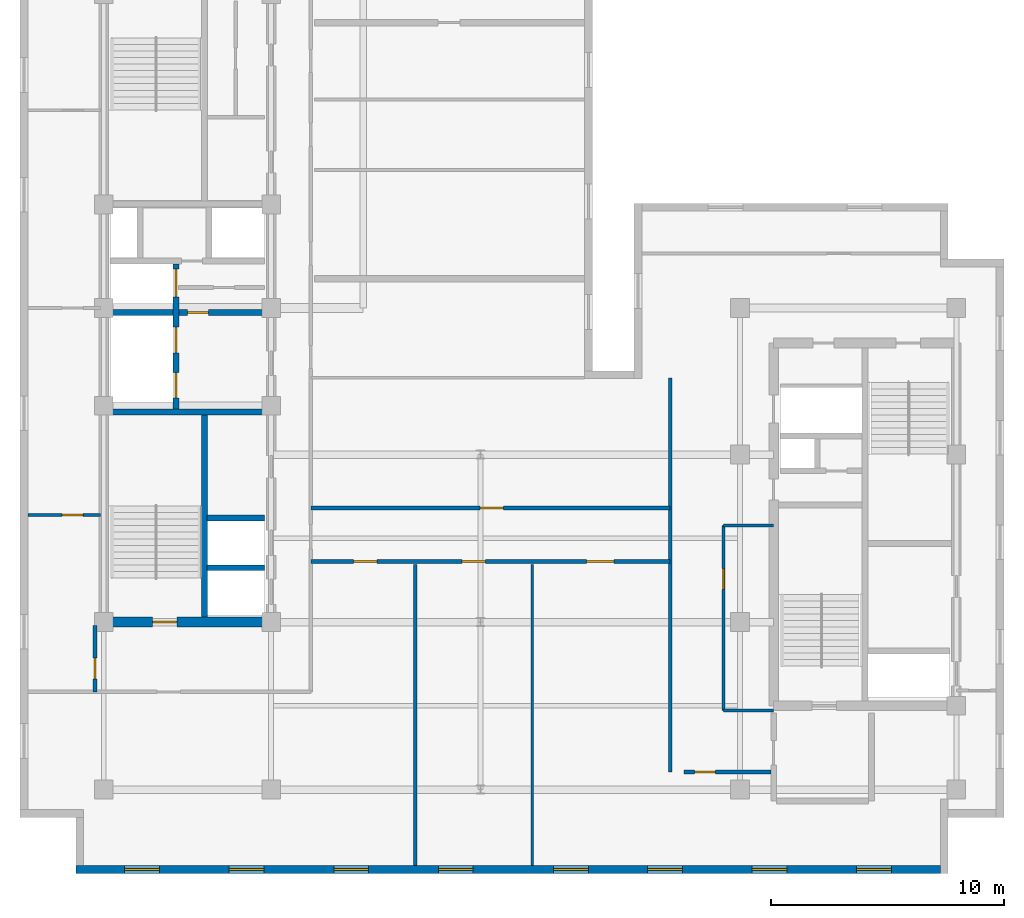
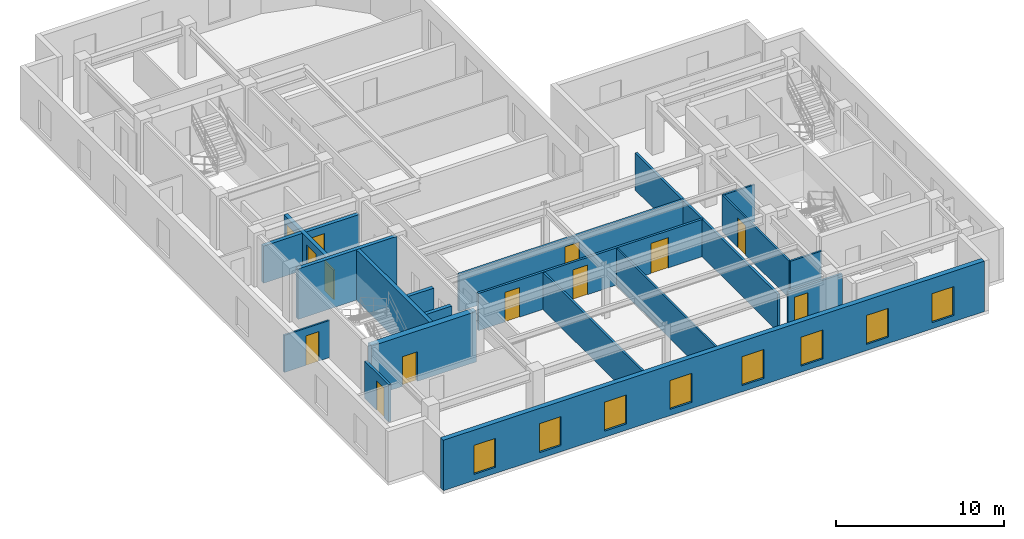
# One storey, part 3 of 10: 19 walls, 13 doors, 8 windows, 21 openings.
"""IFC4 building model written with IfcOpenShell, lengths in metres."""

from ifc_helpers import new_model, entity, si_unit, converted_unit, direction, frame, origin_with_axes, origin_2d_with_axis, place, context, subcontext, project, spatial, polyline, rectangle, outline, extrude, material, layer, layer_set, type_object, element, fill, save


model = new_model("IFC4")

# Units and contexts
model_context = context("Model", 3, precision=1e-05, world=origin_with_axes(), true_north=direction((0.0, 1.0)))
body_context = subcontext(model_context, "Body", "Model", "MODEL_VIEW")
ifc_project = project(units=[si_unit("LENGTHUNIT", "METRE"), si_unit("AREAUNIT", "SQUARE_METRE"), si_unit("VOLUMEUNIT", "CUBIC_METRE"), converted_unit("PLANEANGLEUNIT", "DEGREE", entity("IfcPlaneAngleMeasure", 0.017453292519943295), si_unit("PLANEANGLEUNIT", "RADIAN"), dimensions=[0, 0, 0, 0, 0, 0, 0]), si_unit("MASSUNIT", "GRAM", prefix="KILO"), si_unit("THERMODYNAMICTEMPERATUREUNIT", "KELVIN")], contexts=[model_context])

# Site, building, storey
site_placement = place(None, origin_with_axes())
site = spatial("IfcSite", under=ifc_project, at=site_placement, CompositionType="ELEMENT")
building_placement = place(site_placement, origin_with_axes())
building = spatial("IfcBuilding", under=site, at=building_placement, Name="Varnlund Millrace Tower", CompositionType="ELEMENT")
storey_placement = place(building_placement, frame((0.0, 0.0, 276.3), z_axis=(0.0, 0.0, 1.0), x_axis=(1.0, 0.0, 0.0)))
storey = spatial("IfcBuildingStorey", under=building, at=storey_placement, Name="L68", CompositionType="ELEMENT", Elevation=276.3)

# Wall, opening, door
ifc_material_1 = material(Name="Concrete C60/75", Category="concrete")
ifc_layer_1 = layer(ifc_material_1, 0.42, Name="Concrete C60/75")
ifc_layer_set_1 = layer_set([ifc_layer_1], Name="Concrete C60/75")
wall_type_1 = type_object("IfcWallType", Name="Type-CoreWall-Shear-420-C60", PredefinedType="SHEAR", material=ifc_layer_set_1)
wall_1_placement = place(storey_placement, frame((11.4, 10.8, 0.0), z_axis=(0.0, 0.0, 1.0), x_axis=(1.0, 0.0, 0.0)))
wall_1 = element("IfcWall", 1, at=wall_1_placement, inside=storey, type_object=wall_type_1, Name="Type-CoreWall-Shear-420-C60", PredefinedType="SHEAR", context=body_context, shape_type="SweptSolid", body=[
    extrude(outline(polyline([(0.0, -0.21), (7.2, -0.21), (7.2, 0.21), (0.0, 0.21), (0.0, -0.21)])), origin_with_axes(), (0.0, 0.0, 1.0), 3.66),
])
opening_1_placement = place(wall_1_placement, frame((2.625, 0.0, 0.0), z_axis=(0.0, 0.0, 1.0), x_axis=(1.0, 0.0, 0.0)))
opening_1 = element("IfcOpeningElement", 2, at=opening_1_placement, cuts=wall_1, Name="Opening L68:DR-STA1", PredefinedType="OPENING", context=body_context, shape_type="SweptSolid", body=[
    extrude(rectangle(XDim=1.05, YDim=0.44, at=origin_2d_with_axis()), origin_with_axes(), (0.0, 0.0, 1.0), 2.15),
])
ifc_material_2 = material(Name="Fire-rated hollow steel door", Category="steel")
door_type_1 = type_object("IfcDoorType", Name="Type-FireDoor-Stair-1050X2150", OperationType="NOTDEFINED", PredefinedType="DOOR", material=ifc_material_2)
door_1_placement = place(wall_1_placement, frame((2.625, 0.0, 0.0), z_axis=(0.0, 0.0, 1.0), x_axis=(1.0, 0.0, 0.0)))
door_1 = element("IfcDoor", 3, at=door_1_placement, inside=storey, type_object=door_type_1, Name="Type-FireDoor-Stair-1050X2150", OperationType="SINGLE_SWING_LEFT", OverallHeight=2.15, OverallWidth=1.05, PredefinedType="DOOR", context=body_context, shape_type="SweptSolid", body=[
    extrude(rectangle(XDim=1.05, YDim=0.09, at=origin_2d_with_axis()), origin_with_axes(), (0.0, 0.0, 1.0), 2.15),
])
fill(opening_1, door_1)

# Wall, openings, windows
ifc_material_3 = material(Name="Precast concrete C50/60", Category="concrete")
ifc_layer_2 = layer(ifc_material_3, 0.34, Name="Precast concrete C50/60")
ifc_layer_set_2 = layer_set([ifc_layer_2], Name="Precast concrete C50/60")
wall_type_2 = type_object("IfcWallType", Name="Type-ExtWall-Precast-Upper-340", PredefinedType="SOLIDWALL", material=ifc_layer_set_2)
wall_2_placement = place(storey_placement, frame((47.36, 0.17, 0.0), z_axis=(0.0, 0.0, 1.0), x_axis=(-1.0, 0.0, 0.0)))
wall_2 = element("IfcWall", 4, at=wall_2_placement, inside=storey, type_object=wall_type_2, Name="Type-ExtWall-Precast-Upper-340", PredefinedType="SOLIDWALL", context=body_context, shape_type="SweptSolid", body=[
    extrude(outline(polyline([(0.0, -0.17), (37.16, -0.17), (37.16, 0.17), (0.0, 0.17), (0.0, -0.17)])), origin_with_axes(), (0.0, 0.0, 1.0), 3.66),
])
opening_2_placement = place(wall_2_placement, frame((2.847, 0.0, 0.45), z_axis=(0.0, 0.0, 1.0), x_axis=(1.0, 0.0, 0.0)))
opening_2 = element("IfcOpeningElement", 5, at=opening_2_placement, cuts=wall_2, Name="Opening L68:WN-09", PredefinedType="OPENING", context=body_context, shape_type="SweptSolid", body=[
    extrude(rectangle(XDim=1.5, YDim=0.36, at=origin_2d_with_axis()), origin_with_axes(), (0.0, 0.0, 1.0), 2.1),
])
opening_3_placement = place(wall_2_placement, frame((7.342, 0.0, 0.45), z_axis=(0.0, 0.0, 1.0), x_axis=(1.0, 0.0, 0.0)))
opening_3 = element("IfcOpeningElement", 6, at=opening_3_placement, cuts=wall_2, Name="Opening L68:WN-10", PredefinedType="OPENING", context=body_context, shape_type="SweptSolid", body=[
    extrude(rectangle(XDim=1.5, YDim=0.36, at=origin_2d_with_axis()), origin_with_axes(), (0.0, 0.0, 1.0), 2.1),
])
opening_4_placement = place(wall_2_placement, frame((11.837, 0.0, 0.45), z_axis=(0.0, 0.0, 1.0), x_axis=(1.0, 0.0, 0.0)))
opening_4 = element("IfcOpeningElement", 7, at=opening_4_placement, cuts=wall_2, Name="Opening L68:WN-11", PredefinedType="OPENING", context=body_context, shape_type="SweptSolid", body=[
    extrude(rectangle(XDim=1.5, YDim=0.36, at=origin_2d_with_axis()), origin_with_axes(), (0.0, 0.0, 1.0), 2.1),
])
opening_5_placement = place(wall_2_placement, frame((15.882, 0.0, 0.45), z_axis=(0.0, 0.0, 1.0), x_axis=(1.0, 0.0, 0.0)))
opening_5 = element("IfcOpeningElement", 8, at=opening_5_placement, cuts=wall_2, Name="Opening L68:WN-12", PredefinedType="OPENING", context=body_context, shape_type="SweptSolid", body=[
    extrude(rectangle(XDim=1.5, YDim=0.36, at=origin_2d_with_axis()), origin_with_axes(), (0.0, 0.0, 1.0), 2.1),
])
opening_6_placement = place(wall_2_placement, frame((20.827, 0.0, 0.45), z_axis=(0.0, 0.0, 1.0), x_axis=(1.0, 0.0, 0.0)))
opening_6 = element("IfcOpeningElement", 9, at=opening_6_placement, cuts=wall_2, Name="Opening L68:WN-13", PredefinedType="OPENING", context=body_context, shape_type="SweptSolid", body=[
    extrude(rectangle(XDim=1.5, YDim=0.36, at=origin_2d_with_axis()), origin_with_axes(), (0.0, 0.0, 1.0), 2.1),
])
opening_7_placement = place(wall_2_placement, frame((25.322, 0.0, 0.45), z_axis=(0.0, 0.0, 1.0), x_axis=(1.0, 0.0, 0.0)))
opening_7 = element("IfcOpeningElement", 10, at=opening_7_placement, cuts=wall_2, Name="Opening L68:WN-14", PredefinedType="OPENING", context=body_context, shape_type="SweptSolid", body=[
    extrude(rectangle(XDim=1.5, YDim=0.36, at=origin_2d_with_axis()), origin_with_axes(), (0.0, 0.0, 1.0), 2.1),
])
opening_8_placement = place(wall_2_placement, frame((29.817, 0.0, 0.45), z_axis=(0.0, 0.0, 1.0), x_axis=(1.0, 0.0, 0.0)))
opening_8 = element("IfcOpeningElement", 11, at=opening_8_placement, cuts=wall_2, Name="Opening L68:WN-15", PredefinedType="OPENING", context=body_context, shape_type="SweptSolid", body=[
    extrude(rectangle(XDim=1.5, YDim=0.36, at=origin_2d_with_axis()), origin_with_axes(), (0.0, 0.0, 1.0), 2.1),
])
opening_9_placement = place(wall_2_placement, frame((34.312, 0.0, 0.45), z_axis=(0.0, 0.0, 1.0), x_axis=(1.0, 0.0, 0.0)))
opening_9 = element("IfcOpeningElement", 12, at=opening_9_placement, cuts=wall_2, Name="Opening L68:WN-16", PredefinedType="OPENING", context=body_context, shape_type="SweptSolid", body=[
    extrude(rectangle(XDim=1.5, YDim=0.36, at=origin_2d_with_axis()), origin_with_axes(), (0.0, 0.0, 1.0), 2.1),
])
ifc_material_4 = material(Name="Argon low-e triple glazing in thermally broken bronze frame", Category="glass")
window_type = type_object("IfcWindowType", Name="Type-Window-Punched-1500X2100", PartitioningType="SINGLE_PANEL", PredefinedType="WINDOW", material=ifc_material_4)
window_1_placement = place(wall_2_placement, frame((2.847, 0.0, 0.45), z_axis=(0.0, 0.0, 1.0), x_axis=(1.0, 0.0, 0.0)))
window_1 = element("IfcWindow", 13, at=window_1_placement, inside=storey, type_object=window_type, Name="Type-Window-Punched-1500X2100", OverallHeight=2.1, OverallWidth=1.5, PredefinedType="WINDOW", context=body_context, shape_type="SweptSolid", body=[
    extrude(rectangle(XDim=1.5, YDim=0.09, at=origin_2d_with_axis()), origin_with_axes(), (0.0, 0.0, 1.0), 2.1),
])
fill(opening_2, window_1)
window_2_placement = place(wall_2_placement, frame((7.342, 0.0, 0.45), z_axis=(0.0, 0.0, 1.0), x_axis=(1.0, 0.0, 0.0)))
window_2 = element("IfcWindow", 14, at=window_2_placement, inside=storey, type_object=window_type, Name="Type-Window-Punched-1500X2100", OverallHeight=2.1, OverallWidth=1.5, PredefinedType="WINDOW", context=body_context, shape_type="SweptSolid", body=[
    extrude(rectangle(XDim=1.5, YDim=0.09, at=origin_2d_with_axis()), origin_with_axes(), (0.0, 0.0, 1.0), 2.1),
])
fill(opening_3, window_2)
window_3_placement = place(wall_2_placement, frame((11.837, 0.0, 0.45), z_axis=(0.0, 0.0, 1.0), x_axis=(1.0, 0.0, 0.0)))
window_3 = element("IfcWindow", 15, at=window_3_placement, inside=storey, type_object=window_type, Name="Type-Window-Punched-1500X2100", OverallHeight=2.1, OverallWidth=1.5, PredefinedType="WINDOW", context=body_context, shape_type="SweptSolid", body=[
    extrude(rectangle(XDim=1.5, YDim=0.09, at=origin_2d_with_axis()), origin_with_axes(), (0.0, 0.0, 1.0), 2.1),
])
fill(opening_4, window_3)
window_4_placement = place(wall_2_placement, frame((15.882, 0.0, 0.45), z_axis=(0.0, 0.0, 1.0), x_axis=(1.0, 0.0, 0.0)))
window_4 = element("IfcWindow", 16, at=window_4_placement, inside=storey, type_object=window_type, Name="Type-Window-Punched-1500X2100", OverallHeight=2.1, OverallWidth=1.5, PredefinedType="WINDOW", context=body_context, shape_type="SweptSolid", body=[
    extrude(rectangle(XDim=1.5, YDim=0.09, at=origin_2d_with_axis()), origin_with_axes(), (0.0, 0.0, 1.0), 2.1),
])
fill(opening_5, window_4)
window_5_placement = place(wall_2_placement, frame((20.827, 0.0, 0.45), z_axis=(0.0, 0.0, 1.0), x_axis=(1.0, 0.0, 0.0)))
window_5 = element("IfcWindow", 17, at=window_5_placement, inside=storey, type_object=window_type, Name="Type-Window-Punched-1500X2100", OverallHeight=2.1, OverallWidth=1.5, PredefinedType="WINDOW", context=body_context, shape_type="SweptSolid", body=[
    extrude(rectangle(XDim=1.5, YDim=0.09, at=origin_2d_with_axis()), origin_with_axes(), (0.0, 0.0, 1.0), 2.1),
])
fill(opening_6, window_5)
window_6_placement = place(wall_2_placement, frame((25.322, 0.0, 0.45), z_axis=(0.0, 0.0, 1.0), x_axis=(1.0, 0.0, 0.0)))
window_6 = element("IfcWindow", 18, at=window_6_placement, inside=storey, type_object=window_type, Name="Type-Window-Punched-1500X2100", OverallHeight=2.1, OverallWidth=1.5, PredefinedType="WINDOW", context=body_context, shape_type="SweptSolid", body=[
    extrude(rectangle(XDim=1.5, YDim=0.09, at=origin_2d_with_axis()), origin_with_axes(), (0.0, 0.0, 1.0), 2.1),
])
fill(opening_7, window_6)
window_7_placement = place(wall_2_placement, frame((29.817, 0.0, 0.45), z_axis=(0.0, 0.0, 1.0), x_axis=(1.0, 0.0, 0.0)))
window_7 = element("IfcWindow", 19, at=window_7_placement, inside=storey, type_object=window_type, Name="Type-Window-Punched-1500X2100", OverallHeight=2.1, OverallWidth=1.5, PredefinedType="WINDOW", context=body_context, shape_type="SweptSolid", body=[
    extrude(rectangle(XDim=1.5, YDim=0.09, at=origin_2d_with_axis()), origin_with_axes(), (0.0, 0.0, 1.0), 2.1),
])
fill(opening_8, window_7)
window_8_placement = place(wall_2_placement, frame((34.312, 0.0, 0.45), z_axis=(0.0, 0.0, 1.0), x_axis=(1.0, 0.0, 0.0)))
window_8 = element("IfcWindow", 20, at=window_8_placement, inside=storey, type_object=window_type, Name="Type-Window-Punched-1500X2100", OverallHeight=2.1, OverallWidth=1.5, PredefinedType="WINDOW", context=body_context, shape_type="SweptSolid", body=[
    extrude(rectangle(XDim=1.5, YDim=0.09, at=origin_2d_with_axis()), origin_with_axes(), (0.0, 0.0, 1.0), 2.1),
])
fill(opening_9, window_8)

# Wall, opening, door
ifc_material_5 = material(Name="Fire-rated gypsum board on cold-formed steel framing", Category="steel")
ifc_layer_3 = layer(ifc_material_5, 0.16, Name="Fire-rated gypsum board on cold-formed steel framing")
ifc_layer_set_3 = layer_set([ifc_layer_3], Name="Fire-rated gypsum board on cold-formed steel framing")
wall_type_3 = type_object("IfcWallType", Name="Type-Partition-Corridor-160", PredefinedType="PARTITIONING", material=ifc_layer_set_3)
wall_3_placement = place(storey_placement, frame((11.02, 7.8, 0.0), z_axis=(0.0, 0.0, 1.0), x_axis=(0.0, 1.0, 0.0)))
wall_3 = element("IfcWall", 21, at=wall_3_placement, inside=storey, type_object=wall_type_3, Name="Type-Partition-Corridor-160", PredefinedType="PARTITIONING", context=body_context, shape_type="SweptSolid", body=[
    extrude(outline(polyline([(0.0, -0.08), (2.85, -0.08), (2.85, 0.08), (0.0, 0.08), (0.0, -0.08)])), origin_with_axes(), (0.0, 0.0, 1.0), 2.7),
])
opening_10_placement = place(wall_3_placement, frame((1.0, 0.0, 0.0), z_axis=(0.0, 0.0, 1.0), x_axis=(1.0, 0.0, 0.0)))
opening_10 = element("IfcOpeningElement", 22, at=opening_10_placement, cuts=wall_3, Name="Opening L68:DR-WU-S1", PredefinedType="OPENING", context=body_context, shape_type="SweptSolid", body=[
    extrude(rectangle(XDim=0.9, YDim=0.18, at=origin_2d_with_axis()), origin_with_axes(), (0.0, 0.0, 1.0), 2.15),
])
ifc_material_6 = material(Name="Painted steel riser and closet door", Category="steel")
door_type_2 = type_object("IfcDoorType", Name="Type-IntDoor-Closet-900X2150", OperationType="NOTDEFINED", PredefinedType="DOOR", material=ifc_material_6)
door_2_placement = place(wall_3_placement, frame((1.0, 0.0, 0.0), z_axis=(0.0, 0.0, 1.0), x_axis=(1.0, 0.0, 0.0)))
door_2 = element("IfcDoor", 23, at=door_2_placement, inside=storey, type_object=door_type_2, Name="Type-IntDoor-Closet-900X2150", OperationType="SINGLE_SWING_LEFT", OverallHeight=2.15, OverallWidth=0.9, PredefinedType="DOOR", context=body_context, shape_type="SweptSolid", body=[
    extrude(rectangle(XDim=0.9, YDim=0.09, at=origin_2d_with_axis()), origin_with_axes(), (0.0, 0.0, 1.0), 2.15),
])
fill(opening_10, door_2)

# Wall, openings, doors
wall_4_placement = place(storey_placement, frame((20.3, 13.4, 0.0), z_axis=(0.0, 0.0, 1.0), x_axis=(1.0, 0.0, 0.0)))
wall_4 = element("IfcWall", 24, at=wall_4_placement, inside=storey, type_object=wall_type_3, Name="Type-Partition-Corridor-160", PredefinedType="PARTITIONING", context=body_context, shape_type="SweptSolid", body=[
    extrude(outline(polyline([(0.0, -0.08), (15.45, -0.08), (15.45, 0.08), (0.0, 0.08), (0.0, -0.08)])), origin_with_axes(), (0.0, 0.0, 1.0), 2.7),
])
opening_11_placement = place(wall_4_placement, frame((2.34, 0.0, 0.0), z_axis=(0.0, 0.0, 1.0), x_axis=(1.0, 0.0, 0.0)))
opening_11 = element("IfcOpeningElement", 25, at=opening_11_placement, cuts=wall_4, Name="Opening L68:DR-KNS-01", PredefinedType="OPENING", context=body_context, shape_type="SweptSolid", body=[
    extrude(rectangle(XDim=1.0, YDim=0.18, at=origin_2d_with_axis()), origin_with_axes(), (0.0, 0.0, 1.0), 2.15),
])
opening_12_placement = place(wall_4_placement, frame((7.0105, 0.0, 0.0), z_axis=(0.0, 0.0, 1.0), x_axis=(1.0, 0.0, 0.0)))
opening_12 = element("IfcOpeningElement", 26, at=opening_12_placement, cuts=wall_4, Name="Opening L68:DR-KNS-02", PredefinedType="OPENING", context=body_context, shape_type="SweptSolid", body=[
    extrude(rectangle(XDim=1.0, YDim=0.18, at=origin_2d_with_axis()), origin_with_axes(), (0.0, 0.0, 1.0), 2.15),
])
opening_13_placement = place(wall_4_placement, frame((12.4455, 0.0, 0.0), z_axis=(0.0, 0.0, 1.0), x_axis=(1.0, 0.0, 0.0)))
opening_13 = element("IfcOpeningElement", 27, at=opening_13_placement, cuts=wall_4, Name="Opening L68:DR-KNS-03", PredefinedType="OPENING", context=body_context, shape_type="SweptSolid", body=[
    extrude(rectangle(XDim=1.2, YDim=0.18, at=origin_2d_with_axis()), origin_with_axes(), (0.0, 0.0, 1.0), 2.2),
])
ifc_material_7 = material(Name="Wide executive white oak acoustic door")
door_type_3 = type_object("IfcDoorType", Name="Type-IntDoor-Exec-1200X2200", OperationType="NOTDEFINED", PredefinedType="DOOR", material=ifc_material_7)
door_3_placement = place(wall_4_placement, frame((12.4455, 0.0, 0.0), z_axis=(0.0, 0.0, 1.0), x_axis=(1.0, 0.0, 0.0)))
door_3 = element("IfcDoor", 28, at=door_3_placement, inside=storey, type_object=door_type_3, Name="Type-IntDoor-Exec-1200X2200", OperationType="SINGLE_SWING_LEFT", OverallHeight=2.2, OverallWidth=1.2, PredefinedType="DOOR", context=body_context, shape_type="SweptSolid", body=[
    extrude(rectangle(XDim=1.2, YDim=0.09, at=origin_2d_with_axis()), origin_with_axes(), (0.0, 0.0, 1.0), 2.2),
])
fill(opening_13, door_3)
ifc_material_8 = material(Name="Solid-core white oak and bronze frame door")
door_type_4 = type_object("IfcDoorType", Name="Type-IntDoor-Office-1000X2150", OperationType="NOTDEFINED", PredefinedType="DOOR", material=ifc_material_8)
door_4_placement = place(wall_4_placement, frame((2.34, 0.0, 0.0), z_axis=(0.0, 0.0, 1.0), x_axis=(1.0, 0.0, 0.0)))
door_4 = element("IfcDoor", 29, at=door_4_placement, inside=storey, type_object=door_type_4, Name="Type-IntDoor-Office-1000X2150", OperationType="SINGLE_SWING_LEFT", OverallHeight=2.15, OverallWidth=1.0, PredefinedType="DOOR", context=body_context, shape_type="SweptSolid", body=[
    extrude(rectangle(XDim=1.0, YDim=0.09, at=origin_2d_with_axis()), origin_with_axes(), (0.0, 0.0, 1.0), 2.15),
])
fill(opening_11, door_4)
door_5_placement = place(wall_4_placement, frame((7.0105, 0.0, 0.0), z_axis=(0.0, 0.0, 1.0), x_axis=(1.0, 0.0, 0.0)))
door_5 = element("IfcDoor", 30, at=door_5_placement, inside=storey, type_object=door_type_4, Name="Type-IntDoor-Office-1000X2150", OperationType="SINGLE_SWING_RIGHT", OverallHeight=2.15, OverallWidth=1.0, PredefinedType="DOOR", context=body_context, shape_type="SweptSolid", body=[
    extrude(rectangle(XDim=1.0, YDim=0.09, at=origin_2d_with_axis()), origin_with_axes(), (0.0, 0.0, 1.0), 2.15),
])
fill(opening_12, door_5)

# Wall, opening, door
wall_5_placement = place(storey_placement, frame((20.3, 15.7, 0.0), z_axis=(0.0, 0.0, 1.0), x_axis=(1.0, 0.0, 0.0)))
wall_5 = element("IfcWall", 31, at=wall_5_placement, inside=storey, type_object=wall_type_3, Name="Type-Partition-Corridor-160", PredefinedType="PARTITIONING", context=body_context, shape_type="SweptSolid", body=[
    extrude(outline(polyline([(0.0, -0.08), (15.45, -0.08), (15.45, 0.08), (0.0, 0.08), (0.0, -0.08)])), origin_with_axes(), (0.0, 0.0, 1.0), 2.7),
])
opening_14_placement = place(wall_5_placement, frame((7.775, 0.0, 0.0), z_axis=(0.0, 0.0, 1.0), x_axis=(1.0, 0.0, 0.0)))
opening_14 = element("IfcOpeningElement", 32, at=opening_14_placement, cuts=wall_5, Name="Opening L68:DR-KN-01", PredefinedType="OPENING", context=body_context, shape_type="SweptSolid", body=[
    extrude(rectangle(XDim=1.0, YDim=0.18, at=origin_2d_with_axis()), origin_with_axes(), (0.0, 0.0, 1.0), 2.15),
])
door_6_placement = place(wall_5_placement, frame((7.775, 0.0, 0.0), z_axis=(0.0, 0.0, 1.0), x_axis=(1.0, 0.0, 0.0)))
door_6 = element("IfcDoor", 33, at=door_6_placement, inside=storey, type_object=door_type_4, Name="Type-IntDoor-Office-1000X2150", OperationType="SINGLE_SWING_LEFT", OverallHeight=2.15, OverallWidth=1.0, PredefinedType="DOOR", context=body_context, shape_type="SweptSolid", body=[
    extrude(rectangle(XDim=1.0, YDim=0.09, at=origin_2d_with_axis()), origin_with_axes(), (0.0, 0.0, 1.0), 2.15),
])
fill(opening_14, door_6)

# Wall
wall_6_placement = place(storey_placement, frame((35.75, 4.35, 0.0), z_axis=(0.0, 0.0, 1.0), x_axis=(0.0, 1.0, 0.0)))
element("IfcWall", 34, at=wall_6_placement, inside=storey, type_object=wall_type_3, Name="Type-Partition-Corridor-160", PredefinedType="PARTITIONING", context=body_context, shape_type="SweptSolid", body=[
    extrude(outline(polyline([(0.0, -0.08), (16.95, -0.08), (16.95, 0.08), (0.0, 0.08), (0.0, -0.08)])), origin_with_axes(), (0.0, 0.0, 1.0), 2.7),
])

# Wall, opening, door
wall_7_placement = place(storey_placement, frame((36.35, 4.35, 0.0), z_axis=(0.0, 0.0, 1.0), x_axis=(1.0, 0.0, 0.0)))
wall_7 = element("IfcWall", 35, at=wall_7_placement, inside=storey, type_object=wall_type_3, Name="Type-Partition-Corridor-160", PredefinedType="PARTITIONING", context=body_context, shape_type="SweptSolid", body=[
    extrude(outline(polyline([(0.0, -0.08), (3.725, -0.08), (3.725, 0.08), (0.0, 0.08), (0.0, -0.08)])), origin_with_axes(), (0.0, 0.0, 1.0), 2.7),
])
opening_15_placement = place(wall_7_placement, frame((0.9, 0.0, 0.0), z_axis=(0.0, 0.0, 1.0), x_axis=(1.0, 0.0, 0.0)))
opening_15 = element("IfcOpeningElement", 36, at=opening_15_placement, cuts=wall_7, Name="Opening L68:DR-Z4-KNS", PredefinedType="OPENING", context=body_context, shape_type="SweptSolid", body=[
    extrude(rectangle(XDim=0.9, YDim=0.18, at=origin_2d_with_axis()), origin_with_axes(), (0.0, 0.0, 1.0), 2.15),
])
door_7_placement = place(wall_7_placement, frame((0.9, 0.0, 0.0), z_axis=(0.0, 0.0, 1.0), x_axis=(1.0, 0.0, 0.0)))
door_7 = element("IfcDoor", 37, at=door_7_placement, inside=storey, type_object=door_type_2, Name="Type-IntDoor-Closet-900X2150", OperationType="SINGLE_SWING_LEFT", OverallHeight=2.15, OverallWidth=0.9, PredefinedType="DOOR", context=body_context, shape_type="SweptSolid", body=[
    extrude(rectangle(XDim=0.9, YDim=0.09, at=origin_2d_with_axis()), origin_with_axes(), (0.0, 0.0, 1.0), 2.15),
])
fill(opening_15, door_7)

# Wall
ifc_material_9 = material(Name="Acoustic STC-50 gypsum board partition", Category="gypsum")
ifc_layer_4 = layer(ifc_material_9, 0.15, Name="Acoustic STC-50 gypsum board partition")
ifc_layer_set_4 = layer_set([ifc_layer_4], Name="Acoustic STC-50 gypsum board partition")
wall_type_4 = type_object("IfcWallType", Name="Type-Partition-Demising-150", PredefinedType="PARTITIONING", material=ifc_layer_set_4)
wall_8_placement = place(storey_placement, frame((24.8, 0.335, 0.0), z_axis=(0.0, 0.0, 1.0), x_axis=(0.0, 1.0, 0.0)))
element("IfcWall", 38, at=wall_8_placement, inside=storey, type_object=wall_type_4, Name="Type-Partition-Demising-150", PredefinedType="PARTITIONING", context=body_context, shape_type="SweptSolid", body=[
    extrude(outline(polyline([(0.0, -0.075), (12.945, -0.075), (12.945, 0.075), (0.0, 0.075), (0.0, -0.075)])), origin_with_axes(), (0.0, 0.0, 1.0), 2.7),
])

# Wall, opening, door
ifc_material_10 = material(Name="Gypsum board tenant partition", Category="gypsum")
ifc_layer_5 = layer(ifc_material_10, 0.125, Name="Gypsum board tenant partition")
ifc_layer_set_5 = layer_set([ifc_layer_5], Name="Gypsum board tenant partition")
wall_type_5 = type_object("IfcWallType", Name="Type-Partition-Tenant-125", PredefinedType="PARTITIONING", material=ifc_layer_set_5)
wall_9_placement = place(storey_placement, frame((8.135, 15.4, 0.0), z_axis=(0.0, 0.0, 1.0), x_axis=(1.0, 0.0, 0.0)))
wall_9 = element("IfcWall", 39, at=wall_9_placement, inside=storey, type_object=wall_type_5, Name="Type-Partition-Tenant-125", PredefinedType="PARTITIONING", context=body_context, shape_type="SweptSolid", body=[
    extrude(outline(polyline([(0.0, -0.0625), (3.135, -0.0625), (3.135, 0.0625), (0.0, 0.0625), (0.0, -0.0625)])), origin_with_axes(), (0.0, 0.0, 1.0), 2.7),
])
opening_16_placement = place(wall_9_placement, frame((1.925, 0.0, 0.0), z_axis=(0.0, 0.0, 1.0), x_axis=(1.0, 0.0, 0.0)))
opening_16 = element("IfcOpeningElement", 40, at=opening_16_placement, cuts=wall_9, Name="Opening L68:DR-WUI-1", PredefinedType="OPENING", context=body_context, shape_type="SweptSolid", body=[
    extrude(rectangle(XDim=0.9, YDim=0.145, at=origin_2d_with_axis()), origin_with_axes(), (0.0, 0.0, 1.0), 2.15),
])
door_8_placement = place(wall_9_placement, frame((1.925, 0.0, 0.0), z_axis=(0.0, 0.0, 1.0), x_axis=(1.0, 0.0, 0.0)))
door_8 = element("IfcDoor", 41, at=door_8_placement, inside=storey, type_object=door_type_2, Name="Type-IntDoor-Closet-900X2150", OperationType="SINGLE_SWING_LEFT", OverallHeight=2.15, OverallWidth=0.9, PredefinedType="DOOR", context=body_context, shape_type="SweptSolid", body=[
    extrude(rectangle(XDim=0.9, YDim=0.075, at=origin_2d_with_axis()), origin_with_axes(), (0.0, 0.0, 1.0), 2.15),
])
fill(opening_16, door_8)

# Walls
wall_10_placement = place(storey_placement, frame((29.821, 0.335, 0.0), z_axis=(0.0, 0.0, 1.0), x_axis=(0.0, 1.0, 0.0)))
element("IfcWall", 42, at=wall_10_placement, inside=storey, type_object=wall_type_5, Name="Type-Partition-Tenant-125", PredefinedType="PARTITIONING", context=body_context, shape_type="SweptSolid", body=[
    extrude(outline(polyline([(0.0, -0.0625), (12.945, -0.0625), (12.945, 0.0625), (0.0, 0.0625), (0.0, -0.0625)])), origin_with_axes(), (0.0, 0.0, 1.0), 2.7),
])
for number, where, z_axis, x_axis, name in (
    (43, (38.05, 7.0, 0.0), (0.0, 0.0, 1.0), (1.0, 0.0, 0.0), "Type-Partition-Tenant-125"),
    (44, (38.05, 14.95, 0.0), (0.0, 0.0, 1.0), (1.0, 0.0, 0.0), "Type-Partition-Tenant-125"),
):
    element("IfcWall", number, at=place(storey_placement, frame(where, z_axis=z_axis, x_axis=x_axis)), inside=storey, type_object=wall_type_5, Name=name, PredefinedType="PARTITIONING", context=body_context, shape_type="SweptSolid", body=[
        extrude(outline(polyline([(0.0, -0.0625), (2.15, -0.0625), (2.15, 0.0625), (0.0, 0.0625), (0.0, -0.0625)])), origin_with_axes(), (0.0, 0.0, 1.0), 2.7),
    ])

# Wall, opening, door
wall_11_placement = place(storey_placement, frame((38.05, 7.0, 0.0), z_axis=(0.0, 0.0, 1.0), x_axis=(0.0, 1.0, 0.0)))
wall_11 = element("IfcWall", 45, at=wall_11_placement, inside=storey, type_object=wall_type_5, Name="Type-Partition-Tenant-125", PredefinedType="PARTITIONING", context=body_context, shape_type="SweptSolid", body=[
    extrude(outline(polyline([(0.0, -0.0625), (7.95, -0.0625), (7.95, 0.0625), (0.0, 0.0625), (0.0, -0.0625)])), origin_with_axes(), (0.0, 0.0, 1.0), 2.7),
])
opening_17_placement = place(wall_11_placement, frame((5.65, 0.0, 0.0), z_axis=(0.0, 0.0, 1.0), x_axis=(1.0, 0.0, 0.0)))
opening_17 = element("IfcOpeningElement", 46, at=opening_17_placement, cuts=wall_11, Name="Opening L68:DR-Z4-KMID", PredefinedType="OPENING", context=body_context, shape_type="SweptSolid", body=[
    extrude(rectangle(XDim=0.9, YDim=0.145, at=origin_2d_with_axis()), origin_with_axes(), (0.0, 0.0, 1.0), 2.15),
])
door_9_placement = place(wall_11_placement, frame((5.65, 0.0, 0.0), z_axis=(0.0, 0.0, 1.0), x_axis=(1.0, 0.0, 0.0)))
door_9 = element("IfcDoor", 47, at=door_9_placement, inside=storey, type_object=door_type_2, Name="Type-IntDoor-Closet-900X2150", OperationType="SINGLE_SWING_LEFT", OverallHeight=2.15, OverallWidth=0.9, PredefinedType="DOOR", context=body_context, shape_type="SweptSolid", body=[
    extrude(rectangle(XDim=0.9, YDim=0.075, at=origin_2d_with_axis()), origin_with_axes(), (0.0, 0.0, 1.0), 2.15),
])
fill(opening_17, door_9)

# Wall, openings, doors
ifc_layer_6 = layer(ifc_material_1, 0.25, Name="Concrete C60/75")
ifc_layer_set_6 = layer_set([ifc_layer_6], Name="Concrete C60/75")
wall_type_6 = type_object("IfcWallType", Name="Type-ShaftWall-Fire-250", PredefinedType="SOLIDWALL", material=ifc_layer_set_6)
wall_12_placement = place(storey_placement, frame((14.5, 19.95, 0.0), z_axis=(0.0, 0.0, 1.0), x_axis=(0.0, 1.0, 0.0)))
wall_12 = element("IfcWall", 48, at=wall_12_placement, inside=storey, type_object=wall_type_6, Name="Type-ShaftWall-Fire-250", PredefinedType="SOLIDWALL", context=body_context, shape_type="SweptSolid", body=[
    extrude(outline(polyline([(0.0, -0.125), (6.25, -0.125), (6.25, 0.125), (0.0, 0.125), (0.0, -0.125)])), origin_with_axes(), (0.0, 0.0, 1.0), 2.7),
])
opening_18_placement = place(wall_12_placement, frame((1.025, 0.0, 0.0), z_axis=(0.0, 0.0, 1.0), x_axis=(1.0, 0.0, 0.0)))
opening_18 = element("IfcOpeningElement", 49, at=opening_18_placement, cuts=wall_12, Name="Opening L68:LD-FSAE1", PredefinedType="OPENING", context=body_context, shape_type="SweptSolid", body=[
    extrude(rectangle(XDim=1.1, YDim=0.27, at=origin_2d_with_axis()), origin_with_axes(), (0.0, 0.0, 1.0), 2.15),
])
opening_19_placement = place(wall_12_placement, frame((2.975, 0.0, 0.0), z_axis=(0.0, 0.0, 1.0), x_axis=(1.0, 0.0, 0.0)))
opening_19 = element("IfcOpeningElement", 50, at=opening_19_placement, cuts=wall_12, Name="Opening L68:LD-FSAE2", PredefinedType="OPENING", context=body_context, shape_type="SweptSolid", body=[
    extrude(rectangle(XDim=1.1, YDim=0.27, at=origin_2d_with_axis()), origin_with_axes(), (0.0, 0.0, 1.0), 2.15),
])
opening_20_placement = place(wall_12_placement, frame((5.425, 0.0, 0.0), z_axis=(0.0, 0.0, 1.0), x_axis=(1.0, 0.0, 0.0)))
opening_20 = element("IfcOpeningElement", 51, at=opening_20_placement, cuts=wall_12, Name="Opening L68:LD-SRV1", PredefinedType="OPENING", context=body_context, shape_type="SweptSolid", body=[
    extrude(rectangle(XDim=1.2, YDim=0.27, at=origin_2d_with_axis()), origin_with_axes(), (0.0, 0.0, 1.0), 2.15),
])
ifc_material_11 = material(Name="Stainless and architectural bronze sliding landing door")
door_type_5 = type_object("IfcDoorType", Name="Type-LiftLandingDoor-1100X2150", OperationType="NOTDEFINED", PredefinedType="DOOR", material=ifc_material_11)
door_10_placement = place(wall_12_placement, frame((1.025, 0.0, 0.0), z_axis=(0.0, 0.0, 1.0), x_axis=(1.0, 0.0, 0.0)))
door_10 = element("IfcDoor", 52, at=door_10_placement, inside=storey, type_object=door_type_5, Name="Type-LiftLandingDoor-1100X2150", OperationType="SLIDING_TO_LEFT", OverallHeight=2.15, OverallWidth=1.1, PredefinedType="DOOR", context=body_context, shape_type="SweptSolid", body=[
    extrude(rectangle(XDim=1.1, YDim=0.09, at=origin_2d_with_axis()), origin_with_axes(), (0.0, 0.0, 1.0), 2.15),
])
fill(opening_18, door_10)
door_11_placement = place(wall_12_placement, frame((2.975, 0.0, 0.0), z_axis=(0.0, 0.0, 1.0), x_axis=(1.0, 0.0, 0.0)))
door_11 = element("IfcDoor", 53, at=door_11_placement, inside=storey, type_object=door_type_5, Name="Type-LiftLandingDoor-1100X2150", OperationType="SLIDING_TO_RIGHT", OverallHeight=2.15, OverallWidth=1.1, PredefinedType="DOOR", context=body_context, shape_type="SweptSolid", body=[
    extrude(rectangle(XDim=1.1, YDim=0.09, at=origin_2d_with_axis()), origin_with_axes(), (0.0, 0.0, 1.0), 2.15),
])
fill(opening_19, door_11)
ifc_material_12 = material(Name="Heavy-duty freight sliding landing door")
door_type_6 = type_object("IfcDoorType", Name="Type-LiftLandingDoor-Service-1200X2150", OperationType="NOTDEFINED", PredefinedType="DOOR", material=ifc_material_12)
door_12_placement = place(wall_12_placement, frame((5.425, 0.0, 0.0), z_axis=(0.0, 0.0, 1.0), x_axis=(1.0, 0.0, 0.0)))
door_12 = element("IfcDoor", 54, at=door_12_placement, inside=storey, type_object=door_type_6, Name="Type-LiftLandingDoor-Service-1200X2150", OperationType="DOUBLE_DOOR_SLIDING", OverallHeight=2.15, OverallWidth=1.2, PredefinedType="DOOR", context=body_context, shape_type="SweptSolid", body=[
    extrude(rectangle(XDim=1.2, YDim=0.09, at=origin_2d_with_axis()), origin_with_axes(), (0.0, 0.0, 1.0), 2.15),
])
fill(opening_20, door_12)

# Wall, opening, door
wall_13_placement = place(storey_placement, frame((11.7, 24.1, 0.0), z_axis=(0.0, 0.0, 1.0), x_axis=(1.0, 0.0, 0.0)))
wall_13 = element("IfcWall", 55, at=wall_13_placement, inside=storey, type_object=wall_type_6, Name="Type-ShaftWall-Fire-250", PredefinedType="SOLIDWALL", context=body_context, shape_type="SweptSolid", body=[
    extrude(outline(polyline([(0.0, -0.125), (6.6, -0.125), (6.6, 0.125), (0.0, 0.125), (0.0, -0.125)])), origin_with_axes(), (0.0, 0.0, 1.0), 2.7),
])
opening_21_placement = place(wall_13_placement, frame((3.75, 0.0, 0.0), z_axis=(0.0, 0.0, 1.0), x_axis=(1.0, 0.0, 0.0)))
opening_21 = element("IfcOpeningElement", 56, at=opening_21_placement, cuts=wall_13, Name="Opening L68:DR-CA-SUB1", PredefinedType="OPENING", context=body_context, shape_type="SweptSolid", body=[
    extrude(rectangle(XDim=0.9, YDim=0.27, at=origin_2d_with_axis()), origin_with_axes(), (0.0, 0.0, 1.0), 2.15),
])
ifc_material_13 = material(Name="Fire-rated hollow steel service closet door", Category="steel")
door_type_7 = type_object("IfcDoorType", Name="Type-FireDoor-Closet-900X2150", OperationType="NOTDEFINED", PredefinedType="DOOR", material=ifc_material_13)
door_13_placement = place(wall_13_placement, frame((3.75, 0.0, 0.0), z_axis=(0.0, 0.0, 1.0), x_axis=(1.0, 0.0, 0.0)))
door_13 = element("IfcDoor", 57, at=door_13_placement, inside=storey, type_object=door_type_7, Name="Type-FireDoor-Closet-900X2150", OperationType="SINGLE_SWING_LEFT", OverallHeight=2.15, OverallWidth=0.9, PredefinedType="DOOR", context=body_context, shape_type="SweptSolid", body=[
    extrude(rectangle(XDim=0.9, YDim=0.09, at=origin_2d_with_axis()), origin_with_axes(), (0.0, 0.0, 1.0), 2.15),
])
fill(opening_21, door_13)

# Walls
for number, where, z_axis, x_axis, name in (
    (58, (15.84, 13.13, 0.0), (0.0, 0.0, 1.0), (1.0, 0.0, 0.0), "Type-ShaftWall-Fire-250"),
    (59, (15.84, 15.27, 0.0), (0.0, 0.0, 1.0), (1.0, 0.0, 0.0), "Type-ShaftWall-Fire-250"),
):
    element("IfcWall", number, at=place(storey_placement, frame(where, z_axis=z_axis, x_axis=x_axis)), inside=storey, type_object=wall_type_6, Name=name, PredefinedType="SOLIDWALL", context=body_context, shape_type="SweptSolid", body=[
        extrude(outline(polyline([(0.0, -0.125), (2.46, -0.125), (2.46, 0.125), (0.0, 0.125), (0.0, -0.125)])), origin_with_axes(), (0.0, 0.0, 1.0), 2.7),
    ])
wall_type_7 = type_object("IfcWallType", Name="Type-StairWall-Shear-250", PredefinedType="SHEAR", material=ifc_layer_set_6)
wall_14_placement = place(storey_placement, frame((15.725, 11.01, 0.0), z_axis=(0.0, 0.0, 1.0), x_axis=(0.0, 1.0, 0.0)))
element("IfcWall", 60, at=wall_14_placement, inside=storey, type_object=wall_type_7, Name="Type-StairWall-Shear-250", PredefinedType="SHEAR", context=body_context, shape_type="SweptSolid", body=[
    extrude(outline(polyline([(0.0, -0.125), (8.69, -0.125), (8.69, 0.125), (0.0, 0.125), (0.0, -0.125)])), origin_with_axes(), (0.0, 0.0, 1.0), 3.66),
])
wall_15_placement = place(storey_placement, frame((11.61, 19.825, 0.0), z_axis=(0.0, 0.0, 1.0), x_axis=(1.0, 0.0, 0.0)))
element("IfcWall", 61, at=wall_15_placement, inside=storey, type_object=wall_type_7, Name="Type-StairWall-Shear-250", PredefinedType="SHEAR", context=body_context, shape_type="SweptSolid", body=[
    extrude(outline(polyline([(0.0, -0.125), (6.78, -0.125), (6.78, 0.125), (0.0, 0.125), (0.0, -0.125)])), origin_with_axes(), (0.0, 0.0, 1.0), 3.66),
])

save(model, "model.ifc")
